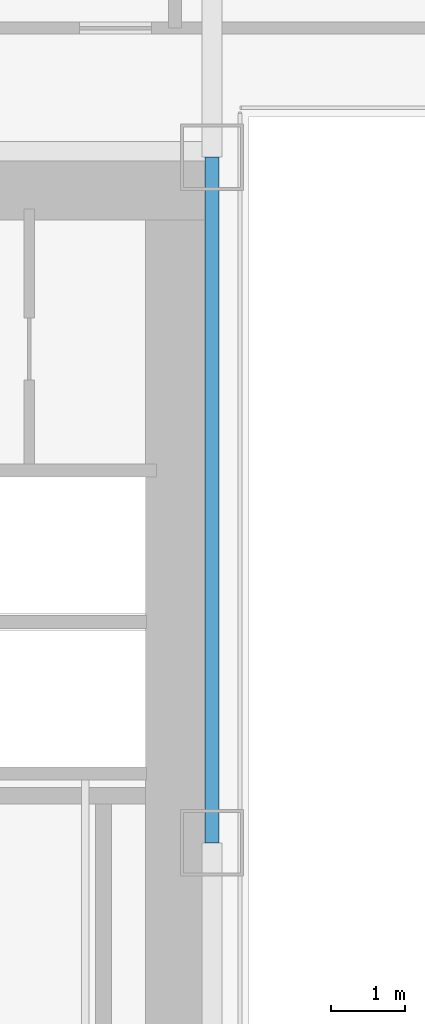
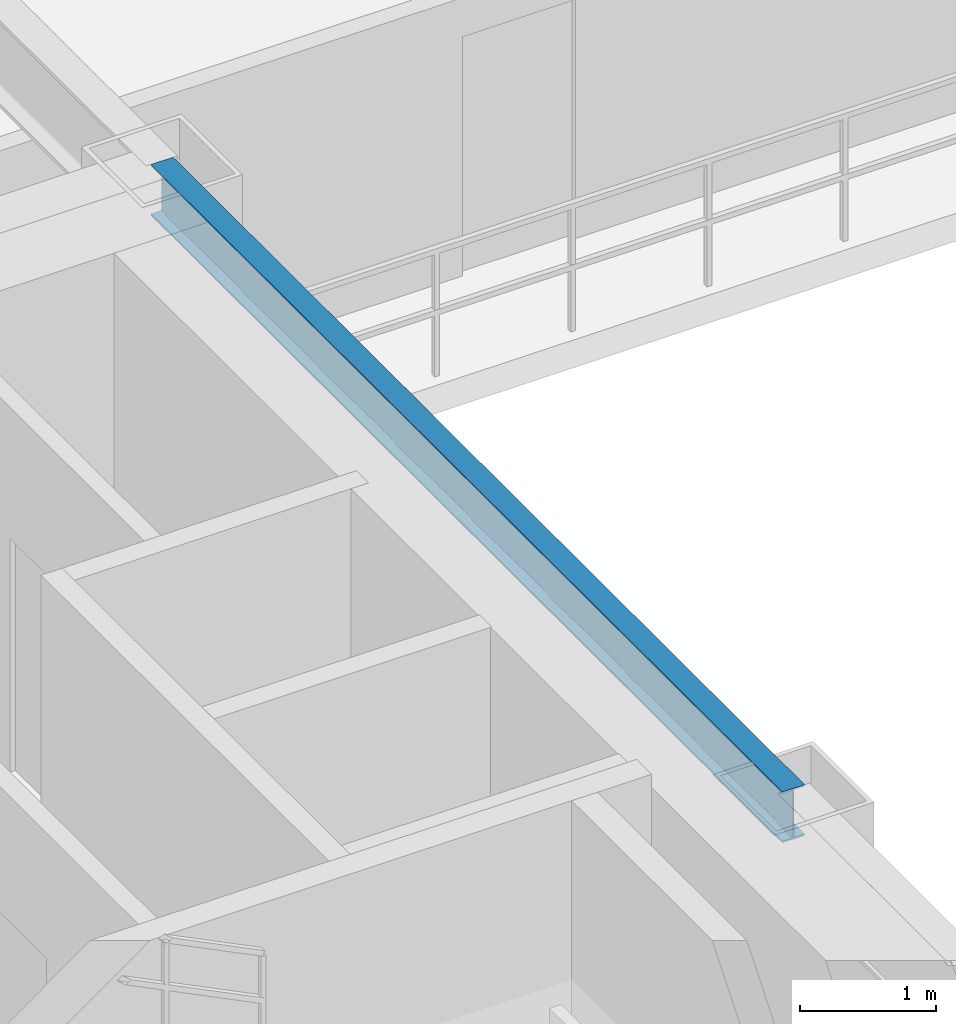
# One storey, part 9 of 35: 1 beam.
"""IFC4 building model written with IfcOpenShell, lengths in metres."""

from ifc_helpers import new_model, si_unit, direction, frame, origin, origin_2d, place, context, subcontext, project, spatial, i_section, extrude, source, transform, mapped, material, material_profile, profile_set, type_object, element, save


model = new_model("IFC4")

# Units and contexts
model_context = context("Model", 3, precision=1e-05, world=origin(), true_north=direction((0.0, 1.0)))
body_context = subcontext(model_context, "Body", "Model", "MODEL_VIEW")
ifc_project = project(units=[si_unit("LENGTHUNIT", "METRE"), si_unit("AREAUNIT", "SQUARE_METRE"), si_unit("VOLUMEUNIT", "CUBIC_METRE"), si_unit("PLANEANGLEUNIT", "RADIAN"), si_unit("MASSUNIT", "GRAM", prefix="KILO")], contexts=[model_context])

# Site, building, storey
site_placement = place(None, origin())
site = spatial("IfcSite", under=ifc_project, at=site_placement, CompositionType="ELEMENT")
building_placement = place(site_placement, origin())
building = spatial("IfcBuilding", under=site, at=building_placement, Name="Ocotamira Hotel", CompositionType="ELEMENT")
storey_placement = place(building_placement, frame((0.0, 0.0, 81.60009765625)))
storey = spatial("IfcBuildingStorey", under=building, at=storey_placement, Name="L20", CompositionType="ELEMENT", Elevation=81.60009765625)

# Beam
ifc_material = material(Name="Steel ASTM A992 Grade 50", Category="steel")
ifc_material_profile = material_profile(ifc_material, i_section(OverallWidth=0.18994140625, OverallDepth=0.45703125, WebThickness=0.009033203125, FlangeThickness=0.014404296875, FilletRadius=0.010009765625, at=origin_2d()), Name="W18X50")
ifc_profile_set = profile_set([ifc_material_profile], Name="Steel ASTM A992 Grade 50")
beam_type = type_object("IfcBeamType", Name="BM-SEC-W18X50", PredefinedType="JOIST", material=ifc_profile_set)
shared_shape = source(origin(), body_context, "Body", "SweptSolid", [
    extrude(i_section(OverallWidth=0.18994140625, OverallDepth=0.45703125, WebThickness=0.009033203125, FlangeThickness=0.014404296875, FilletRadius=0.010009765625, at=origin_2d()), origin(), (0.0, 0.0, 1.0), 9.300048828125),
])
beam_placement = place(storey_placement, frame((23.5, 28.14990234375, 3.051513671875), z_axis=(0.0, 1.0, 0.0), x_axis=(-1.0, 0.0, 0.0)))
element("IfcBeam", 1, at=beam_placement, inside=storey, type_object=beam_type, Name="L20 Beam X23.5 Y28.15-37.45", PredefinedType="JOIST", context=body_context, shape_type="MappedRepresentation", body=[
    mapped(shared_shape, transform((0.0, 0.0, 0.0), scale=1.0)),
])

save(model, "model.ifc")
